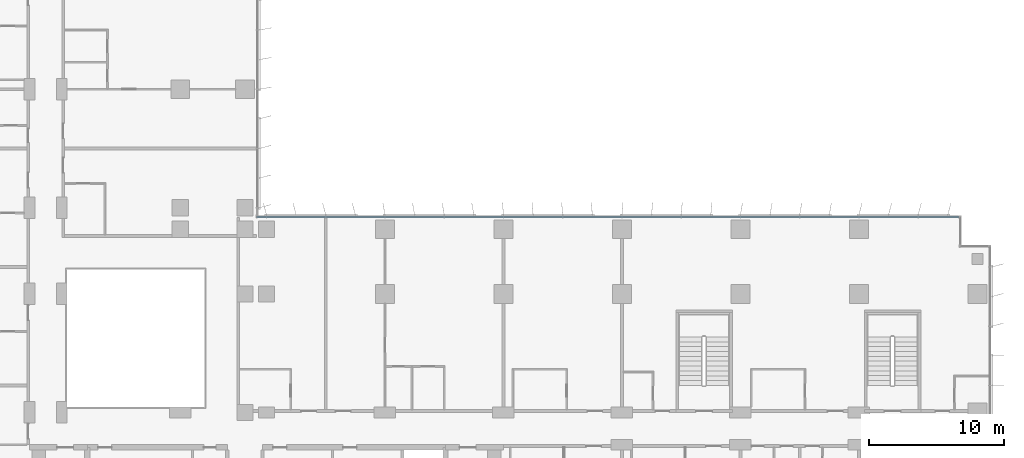
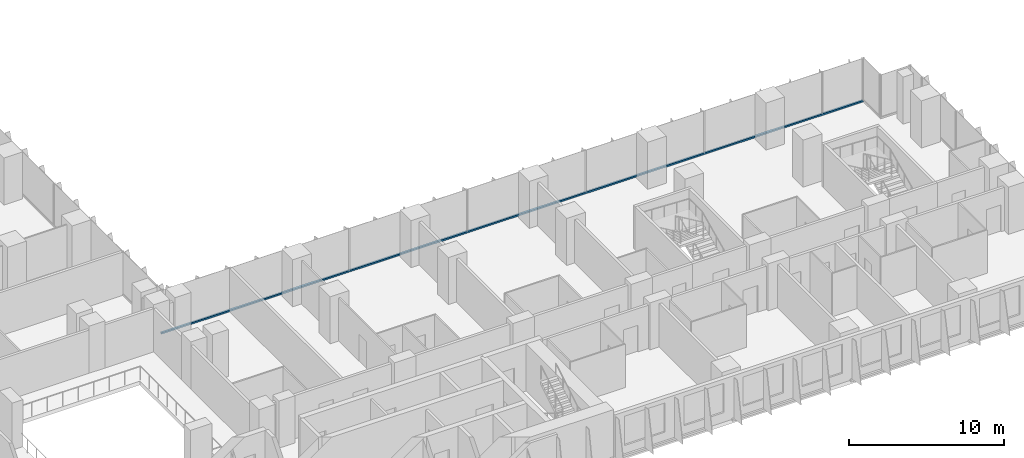
# One storey, part 3 of 24: 1 member, 1 element without a shape of its own.
"""IFC4 building model written with IfcOpenShell, lengths in metres."""

from ifc_helpers import new_model, si_unit, direction, frame, origin, origin_2d, place, context, subcontext, project, spatial, rectangle, extrude, material, material_profile, profile_set, type_object, element, aggregate, save


model = new_model("IFC4")

# Units and contexts
model_context = context("Model", 3, precision=1e-05, world=origin(), true_north=direction((0.0, 1.0)))
body_context = subcontext(model_context, "Body", "Model", "MODEL_VIEW")
ifc_project = project(units=[si_unit("LENGTHUNIT", "METRE"), si_unit("AREAUNIT", "SQUARE_METRE"), si_unit("VOLUMEUNIT", "CUBIC_METRE"), si_unit("PLANEANGLEUNIT", "RADIAN"), si_unit("MASSUNIT", "GRAM", prefix="KILO")], contexts=[model_context])

# Site, building, storey
site_placement = place(None, origin())
site = spatial("IfcSite", under=ifc_project, at=site_placement, CompositionType="ELEMENT")
building_placement = place(site_placement, origin())
building = spatial("IfcBuilding", under=site, at=building_placement, Name="Kemantara Hotel Tower", CompositionType="ELEMENT")
storey_placement = place(building_placement, frame((0.0, 0.0, 41.39990234375)))
storey = spatial("IfcBuildingStorey", under=building, at=storey_placement, Name="L08", CompositionType="ELEMENT", Elevation=41.39990234375)

# Curtain wall, member
ifc_material_1 = material(Name="Low-E tinted double insulated glass 36 mm", Category="glass")
curtain_wall_type = type_object("IfcCurtainWallType", Name="TOWER CURTAIN WALL, FRONT FACES", PredefinedType="USERDEFINED", material=ifc_material_1)
curtain_wall_placement = place(storey_placement, origin())
curtain_wall = element("IfcCurtainWall", 1, at=curtain_wall_placement, inside=storey, type_object=curtain_wall_type, Name="CW4 L08 T1-R07-1", ObjectType="TOWER CURTAIN WALL, FRONT FACES", PredefinedType="USERDEFINED")
ifc_material_2 = material(Name="Aluminium 6063-T6 bronze anodised", Category="aluminium")
ifc_material_profile = material_profile(ifc_material_2, rectangle(XDim=0.14990234375, YDim=0.1201171875, at=origin_2d()), Name="TOWER CURTAIN WALL, FRONT FACES TRANSOM")
ifc_profile_set = profile_set([ifc_material_profile], Name="Aluminium 6063-T6 bronze anodised")
member_type = type_object("IfcMemberType", Name="TOWER CURTAIN WALL, FRONT FACES TRANSOM", PredefinedType="USERDEFINED", material=ifc_profile_set)
member_placement = place(storey_placement, frame((78.85009765625, 26.72509765625, 0.06005859375), z_axis=(-1.0, 0.0, 0.0), x_axis=(0.0, -1.0, 0.0)))
member = element("IfcMember", 2, at=member_placement, type_object=member_type, Name="CW4 sill transom T1-R07-1", ObjectType="TRANSOM", PredefinedType="USERDEFINED", context=body_context, shape_type="SweptSolid", body=[
    extrude(rectangle(XDim=0.14990234375, YDim=0.1201171875, at=origin_2d()), origin(), (0.0, 0.0, 1.0), 52.2001953125),
])
aggregate(curtain_wall, [member])

save(model, "model.ifc")
